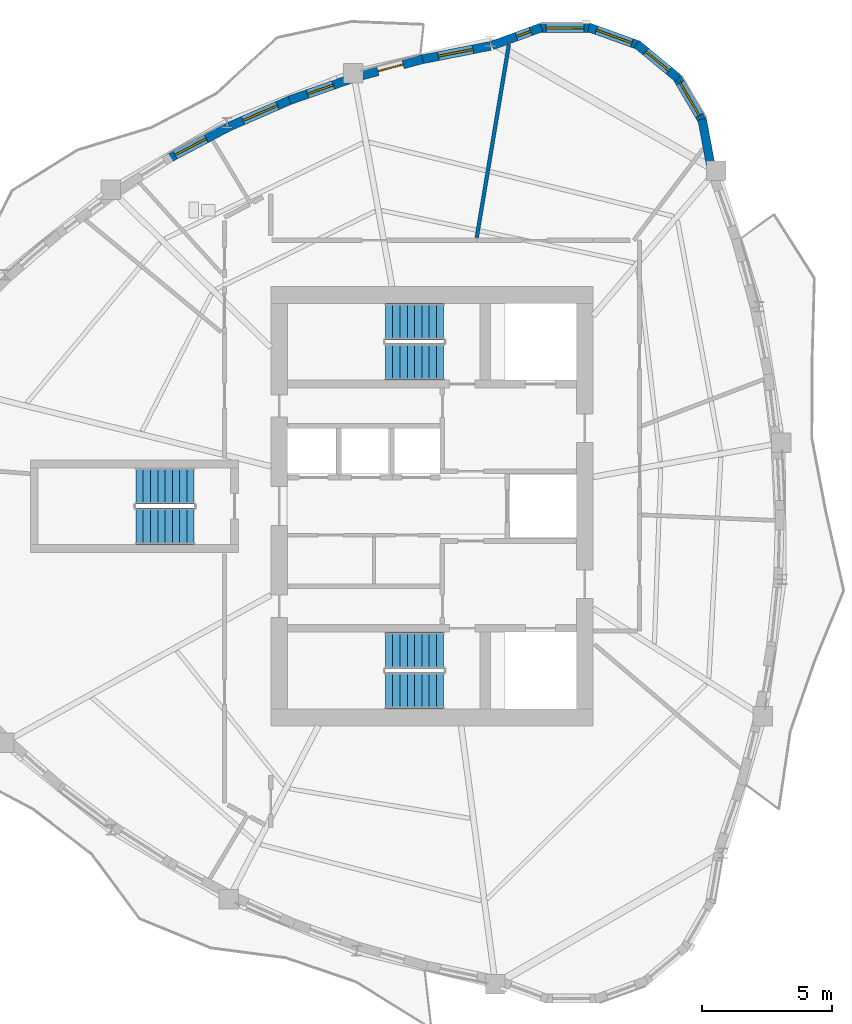
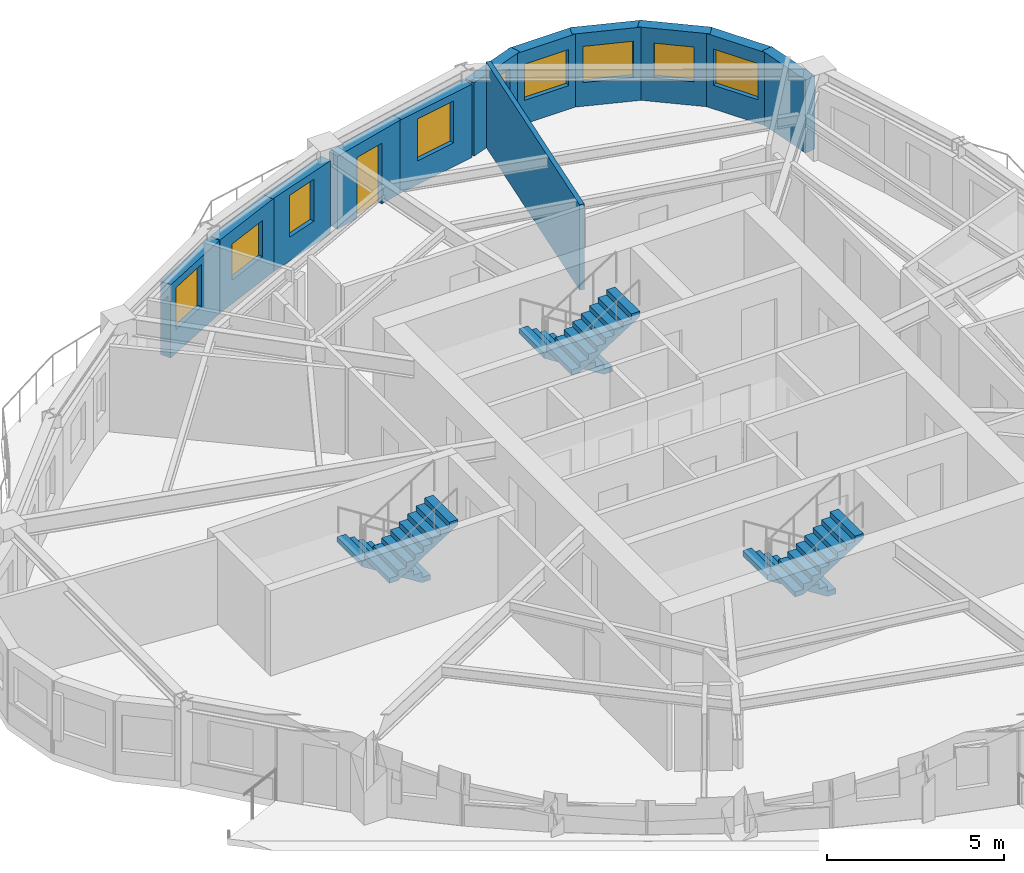
# One storey, part 7 of 11: 12 walls, 9 windows, 6 stair flights, 1 door, 10 openings, 3 elements without a shape of their own.
"""IFC4 building model written with IfcOpenShell, lengths in metres."""

from ifc_helpers import new_model, si_unit, direction, frame, frame_2d, origin, place, context, subcontext, project, spatial, polyline, rectangle, outline, extrude, source, transform, mapped, material, layer, layer_set, type_object, element, fill, aggregate, save


model = new_model("IFC4")

# Units and contexts
model_context = context("Model", 3, precision=1e-05, world=origin(), true_north=direction((0.0, 1.0)))
body_context = subcontext(model_context, "Body", "Model", "MODEL_VIEW")
ifc_project = project(units=[si_unit("LENGTHUNIT", "METRE"), si_unit("AREAUNIT", "SQUARE_METRE"), si_unit("VOLUMEUNIT", "CUBIC_METRE"), si_unit("PLANEANGLEUNIT", "RADIAN"), si_unit("MASSUNIT", "GRAM", prefix="KILO")], contexts=[model_context])

# Site, building, storey
site_placement = place(None, origin())
site = spatial("IfcSite", under=ifc_project, at=site_placement, CompositionType="ELEMENT")
building_placement = place(site_placement, origin())
building = spatial("IfcBuilding", under=site, at=building_placement, Name="Qafzar Sky-Pleat Residences", CompositionType="ELEMENT")
storey_placement = place(building_placement, frame((0.0, 0.0, 168.199951171875)))
storey = spatial("IfcBuildingStorey", under=building, at=storey_placement, Name="L50", CompositionType="ELEMENT", Elevation=168.199951171875)

# Walls
ifc_material_1 = material(Name="Acoustic gypsum plasterboard partition", Category="gypsum")
ifc_layer_1 = layer(ifc_material_1, 0.14501953125)
ifc_layer_set_1 = layer_set([ifc_layer_1], Name="Acoustic gypsum plasterboard partition")
wall_type_1 = type_object("IfcWallType", Name="PART-UNIT-145", PredefinedType="PARTITIONING", material=ifc_layer_set_1)
wall_1_placement = place(storey_placement, frame((32.070556640625, 36.329833984375, 0.0), z_axis=(0.0, 0.0, 1.0), x_axis=(0.164299199522, 0.986410549942, 0.0)))
element("IfcWall", 1, at=wall_1_placement, inside=storey, type_object=wall_type_1, Name="L50 Partition Wall PART-L50-PW-011", PredefinedType="PARTITIONING", context=body_context, shape_type="SweptSolid", body=[
    extrude(rectangle(XDim=7.538330078125, YDim=0.14501953125, at=frame_2d((3.76904296875, 0.0))), origin(), (0.0, 0.0, 1.0), 2.949951171875),
])
ifc_material_2 = material(Name="Precast concrete C40/50 with honed Riyadh limestone", Category="concrete")
ifc_layer_2 = layer(ifc_material_2, 0.340087890625)
ifc_layer_set_2 = layer_set([ifc_layer_2], Name="Precast concrete C40/50 with honed Riyadh limestone")
wall_type_2 = type_object("IfcWallType", Name="WALL-EXT-340", PredefinedType="SOLIDWALL", material=ifc_layer_set_2)
wall_2_placement = place(storey_placement, frame((41.08837890625, 39.02880859375, 0.0), z_axis=(0.0, 0.0, 1.0), x_axis=(-0.18244577317, 0.983215917209, 0.0)))
element("IfcWall", 2, at=wall_2_placement, inside=storey, type_object=wall_type_2, Name="L50 Limestone Facade Wall 33", PredefinedType="SOLIDWALL", context=body_context, shape_type="SweptSolid", body=[
    extrude(rectangle(XDim=1.88818359375, YDim=0.340087890625, at=frame_2d((0.944091796875, 0.0))), origin(), (0.0, 0.0, 1.0), 2.530029296875),
])

# Wall, opening, window
wall_3_placement = place(storey_placement, frame((40.79052734375, 40.760009765625, 0.0), z_axis=(0.0, 0.0, 1.0), x_axis=(-0.506225227923, 0.862401309493, 0.0)))
wall_3 = element("IfcWall", 3, at=wall_3_placement, inside=storey, type_object=wall_type_2, Name="L50 Limestone Facade Wall 34", PredefinedType="SOLIDWALL", context=body_context, shape_type="SweptSolid", body=[
    extrude(rectangle(XDim=2.0810546875, YDim=0.340087890625, at=frame_2d((1.04052734375, 0.0))), origin(), (0.0, 0.0, 1.0), 2.530029296875),
])
opening_1_placement = place(wall_3_placement, frame((0.3154296875, 0.0, 0.820068359375)))
opening_1 = element("IfcOpeningElement", 4, at=opening_1_placement, cuts=wall_3, Name="Opening WN-15", PredefinedType="OPENING", context=body_context, shape_type="SweptSolid", body=[
    extrude(rectangle(XDim=1.449951171875, YDim=1.25, at=frame_2d((0.72509765625, 0.625))), frame((0.0, 0.18017578125, 0.0), z_axis=(0.0, -1.0, 0.0), x_axis=(1.0, 0.0, 0.0)), (0.0, 0.0, 1.0), 0.360107421875),
])
ifc_material_3 = material(Name="Solar-control low-E glass in bronze aluminium frame", Category="glass")
window_type_1 = type_object("IfcWindowType", Name="WIN-15", PartitioningType="SINGLE_PANEL", PredefinedType="WINDOW", material=ifc_material_3)
shared_shape_1 = source(origin(), body_context, "Body", "SweptSolid", [
    extrude(rectangle(XDim=1.449951171875, YDim=1.25, at=frame_2d((0.72509765625, 0.625))), frame((0.0, 0.030029296875, 0.0), z_axis=(0.0, -1.0, 0.0), x_axis=(1.0, 0.0, 0.0)), (0.0, 0.0, 1.0), 0.06005859375),
])
window_1_placement = place(opening_1_placement, origin())
window_1 = element("IfcWindow", 5, at=window_1_placement, inside=storey, type_object=window_type_1, Name="L50 Punched Facade Window 34", OverallHeight=1.25, OverallWidth=1.449951171875, PartitioningType="SINGLE_PANEL", PredefinedType="WINDOW", context=body_context, shape_type="MappedRepresentation", body=[
    mapped(shared_shape_1, transform((0.0, 0.0, 0.0), x_axis=(1.0, 0.0, 0.0), y_axis=(0.0, 1.0, 0.0), z_axis=(0.0, 0.0, 1.0), scale=1.0)),
])
fill(opening_1, window_1)

wall_4_placement = place(storey_placement, frame((39.823486328125, 42.452880859375, 0.0), z_axis=(0.0, 0.0, 1.0), x_axis=(-0.769690471148, 0.63841724493, 0.0)))
wall_4 = element("IfcWall", 6, at=wall_4_placement, inside=storey, type_object=wall_type_2, Name="L50 Limestone Facade Wall 35", PredefinedType="SOLIDWALL", context=body_context, shape_type="SweptSolid", body=[
    extrude(rectangle(XDim=2.0810546875, YDim=0.340087890625, at=frame_2d((1.04052734375, 0.0))), origin(), (0.0, 0.0, 1.0), 2.530029296875),
])
opening_2_placement = place(wall_4_placement, frame((0.465576171875, 0.0, 0.820068359375)))
opening_2 = element("IfcOpeningElement", 7, at=opening_2_placement, cuts=wall_4, Name="Opening WN-16", PredefinedType="OPENING", context=body_context, shape_type="SweptSolid", body=[
    extrude(rectangle(XDim=1.14990234375, YDim=1.199951171875, at=frame_2d((0.574951171875, 0.60009765625))), frame((0.0, 0.18017578125, 0.0), z_axis=(0.0, -1.0, 0.0), x_axis=(1.0, 0.0, 0.0)), (0.0, 0.0, 1.0), 0.360107421875),
])
window_type_2 = type_object("IfcWindowType", Name="WIN-16", PartitioningType="SINGLE_PANEL", PredefinedType="WINDOW", material=ifc_material_3)
shared_shape_2 = source(origin(), body_context, "Body", "SweptSolid", [
    extrude(rectangle(XDim=1.14990234375, YDim=1.199951171875, at=frame_2d((0.574951171875, 0.60009765625))), frame((0.0, 0.030029296875, 0.0), z_axis=(0.0, -1.0, 0.0), x_axis=(1.0, 0.0, 0.0)), (0.0, 0.0, 1.0), 0.06005859375),
])
window_2_placement = place(opening_2_placement, origin())
window_2 = element("IfcWindow", 8, at=window_2_placement, inside=storey, type_object=window_type_2, Name="L50 Punched Facade Window 35", OverallHeight=1.199951171875, OverallWidth=1.14990234375, PartitioningType="SINGLE_PANEL", PredefinedType="WINDOW", context=body_context, shape_type="MappedRepresentation", body=[
    mapped(shared_shape_2, transform((0.0, 0.0, 0.0), x_axis=(1.0, 0.0, 0.0), y_axis=(0.0, 1.0, 0.0), z_axis=(0.0, 0.0, 1.0), scale=1.0)),
])
fill(opening_2, window_2)

wall_5_placement = place(storey_placement, frame((38.337890625, 43.71533203125, 0.0), z_axis=(0.0, 0.0, 1.0), x_axis=(-0.941071215914, 0.338208466153, 0.0)))
wall_5 = element("IfcWall", 9, at=wall_5_placement, inside=storey, type_object=wall_type_2, Name="L50 Limestone Facade Wall 36", PredefinedType="SOLIDWALL", context=body_context, shape_type="SweptSolid", body=[
    extrude(rectangle(XDim=2.0810546875, YDim=0.340087890625, at=frame_2d((1.04052734375, 0.0))), origin(), (0.0, 0.0, 1.0), 2.530029296875),
])
opening_3_placement = place(wall_5_placement, frame((0.3154296875, 0.0, 0.820068359375)))
opening_3 = element("IfcOpeningElement", 10, at=opening_3_placement, cuts=wall_5, Name="Opening WN-15", PredefinedType="OPENING", context=body_context, shape_type="SweptSolid", body=[
    extrude(rectangle(XDim=1.449951171875, YDim=1.25, at=frame_2d((0.72509765625, 0.625))), frame((0.0, 0.18017578125, 0.0), z_axis=(0.0, -1.0, 0.0), x_axis=(1.0, 0.0, 0.0)), (0.0, 0.0, 1.0), 0.360107421875),
])
window_3_placement = place(opening_3_placement, origin())
window_3 = element("IfcWindow", 11, at=window_3_placement, inside=storey, type_object=window_type_1, Name="L50 Punched Facade Window 36", OverallHeight=1.25, OverallWidth=1.449951171875, PartitioningType="SINGLE_PANEL", PredefinedType="WINDOW", context=body_context, shape_type="MappedRepresentation", body=[
    mapped(shared_shape_1, transform((0.0, 0.0, 0.0), x_axis=(1.0, 0.0, 0.0), y_axis=(0.0, 1.0, 0.0), z_axis=(0.0, 0.0, 1.0), scale=1.0)),
])
fill(opening_3, window_3)

wall_6_placement = place(storey_placement, frame((36.510986328125, 44.396484375, 0.0), z_axis=(0.0, 0.0, 1.0), x_axis=(-0.999996965272, -0.002463624621, 0.0)))
wall_6 = element("IfcWall", 12, at=wall_6_placement, inside=storey, type_object=wall_type_2, Name="L50 Limestone Facade Wall 37", PredefinedType="SOLIDWALL", context=body_context, shape_type="SweptSolid", body=[
    extrude(rectangle(XDim=2.0810546875, YDim=0.340087890625, at=frame_2d((1.04052734375, 0.0))), origin(), (0.0, 0.0, 1.0), 2.530029296875),
])
opening_4_placement = place(wall_6_placement, frame((0.315673828125, 0.0, 0.820068359375)))
opening_4 = element("IfcOpeningElement", 13, at=opening_4_placement, cuts=wall_6, Name="Opening WN-15", PredefinedType="OPENING", context=body_context, shape_type="SweptSolid", body=[
    extrude(rectangle(XDim=1.449951171875, YDim=1.25, at=frame_2d((0.72509765625, 0.625))), frame((0.0, 0.18017578125, 0.0), z_axis=(0.0, -1.0, 0.0), x_axis=(1.0, 0.0, 0.0)), (0.0, 0.0, 1.0), 0.360107421875),
])
window_4_placement = place(opening_4_placement, origin())
window_4 = element("IfcWindow", 14, at=window_4_placement, inside=storey, type_object=window_type_1, Name="L50 Punched Facade Window 37", OverallHeight=1.25, OverallWidth=1.449951171875, PartitioningType="SINGLE_PANEL", PredefinedType="WINDOW", context=body_context, shape_type="MappedRepresentation", body=[
    mapped(shared_shape_1, transform((0.0, 0.0, 0.0), x_axis=(1.0, 0.0, 0.0), y_axis=(0.0, 1.0, 0.0), z_axis=(0.0, 0.0, 1.0), scale=1.0)),
])
fill(opening_4, window_4)

wall_7_placement = place(storey_placement, frame((34.5615234375, 44.414794921875, 0.0), z_axis=(0.0, 0.0, 1.0), x_axis=(-0.939426417976, -0.342750645819, 0.0)))
wall_7 = element("IfcWall", 15, at=wall_7_placement, inside=storey, type_object=wall_type_2, Name="L50 Limestone Facade Wall 38", PredefinedType="SOLIDWALL", context=body_context, shape_type="SweptSolid", body=[
    extrude(rectangle(XDim=2.02294921875, YDim=0.340087890625, at=frame_2d((1.011474609375, 0.0))), origin(), (0.0, 0.0, 1.0), 2.530029296875),
])
opening_5_placement = place(wall_7_placement, frame((0.443603515625, 0.0, 0.820068359375)))
opening_5 = element("IfcOpeningElement", 16, at=opening_5_placement, cuts=wall_7, Name="Opening WN-17", PredefinedType="OPENING", context=body_context, shape_type="SweptSolid", body=[
    extrude(rectangle(XDim=0.580078125, YDim=1.35009765625, at=frame_2d((0.2900390625, 0.675048828125))), frame((0.0, 0.18017578125, 0.0), z_axis=(0.0, -1.0, 0.0), x_axis=(1.0, 0.0, 0.0)), (0.0, 0.0, 1.0), 0.360107421875),
])
window_type_3 = type_object("IfcWindowType", Name="WIN-17", PartitioningType="SINGLE_PANEL", PredefinedType="WINDOW", material=ifc_material_3)
shared_shape_3 = source(origin(), body_context, "Body", "SweptSolid", [
    extrude(rectangle(XDim=0.580078125, YDim=1.35009765625, at=frame_2d((0.2900390625, 0.675048828125))), frame((0.0, 0.030029296875, 0.0), z_axis=(0.0, -1.0, 0.0), x_axis=(1.0, 0.0, 0.0)), (0.0, 0.0, 1.0), 0.06005859375),
])
window_5_placement = place(opening_5_placement, origin())
window_5 = element("IfcWindow", 17, at=window_5_placement, inside=storey, type_object=window_type_3, Name="L50 Punched Facade Window 38", OverallHeight=1.35009765625, OverallWidth=0.580078125, PartitioningType="SINGLE_PANEL", PredefinedType="WINDOW", context=body_context, shape_type="MappedRepresentation", body=[
    mapped(shared_shape_3, transform((0.0, 0.0, 0.0), x_axis=(1.0, 0.0, 0.0), y_axis=(0.0, 1.0, 0.0), z_axis=(0.0, 0.0, 1.0), scale=1.0)),
])
fill(opening_5, window_5)

wall_8_placement = place(storey_placement, frame((32.59716796875, 43.70361328125, 0.0), z_axis=(0.0, 0.0, 1.0), x_axis=(-0.981214876679, -0.192918028667, 0.0)))
wall_8 = element("IfcWall", 18, at=wall_8_placement, inside=storey, type_object=wall_type_2, Name="L50 Limestone Facade Wall 39", PredefinedType="SOLIDWALL", context=body_context, shape_type="SweptSolid", body=[
    extrude(rectangle(XDim=2.74609375, YDim=0.340087890625, at=frame_2d((1.373046875, 0.0))), origin(), (0.0, 0.0, 1.0), 2.530029296875),
])
opening_6_placement = place(wall_8_placement, frame((0.68798828125, 0.0, 0.820068359375)))
opening_6 = element("IfcOpeningElement", 19, at=opening_6_placement, cuts=wall_8, Name="Opening WN-04", PredefinedType="OPENING", context=body_context, shape_type="SweptSolid", body=[
    extrude(rectangle(XDim=1.35009765625, YDim=1.449951171875, at=frame_2d((0.675048828125, 0.72509765625))), frame((0.0, 0.18017578125, 0.0), z_axis=(0.0, -1.0, 0.0), x_axis=(1.0, 0.0, 0.0)), (0.0, 0.0, 1.0), 0.360107421875),
])
window_type_4 = type_object("IfcWindowType", Name="WIN-04", PartitioningType="SINGLE_PANEL", PredefinedType="WINDOW", material=ifc_material_3)
shared_shape_4 = source(origin(), body_context, "Body", "SweptSolid", [
    extrude(rectangle(XDim=1.35009765625, YDim=1.449951171875, at=frame_2d((0.675048828125, 0.72509765625))), frame((0.0, 0.030029296875, 0.0), z_axis=(0.0, -1.0, 0.0), x_axis=(1.0, 0.0, 0.0)), (0.0, 0.0, 1.0), 0.06005859375),
])
window_6_placement = place(opening_6_placement, origin())
window_6 = element("IfcWindow", 20, at=window_6_placement, inside=storey, type_object=window_type_4, Name="L50 Punched Facade Window 39", OverallHeight=1.449951171875, OverallWidth=1.35009765625, PartitioningType="SINGLE_PANEL", PredefinedType="WINDOW", context=body_context, shape_type="MappedRepresentation", body=[
    mapped(shared_shape_4, transform((0.0, 0.0, 0.0), x_axis=(1.0, 0.0, 0.0), y_axis=(0.0, 1.0, 0.0), z_axis=(0.0, 0.0, 1.0), scale=1.0)),
])
fill(opening_6, window_6)

# Wall, opening, door
wall_9_placement = place(storey_placement, frame((29.988037109375, 43.19384765625, 0.0), z_axis=(0.0, 0.0, 1.0), x_axis=(-0.965459623591, -0.26055271101, 0.0)))
wall_9 = element("IfcWall", 21, at=wall_9_placement, inside=storey, type_object=wall_type_2, Name="L50 Limestone Facade Wall 40", PredefinedType="SOLIDWALL", context=body_context, shape_type="SweptSolid", body=[
    extrude(rectangle(XDim=2.55419921875, YDim=0.340087890625, at=frame_2d((1.277099609375, 0.0))), origin(), (0.0, 0.0, 1.0), 2.530029296875),
])
opening_7_placement = place(wall_9_placement, frame((0.777099609375, 0.0, 0.0)))
opening_7 = element("IfcOpeningElement", 22, at=opening_7_placement, cuts=wall_9, Name="Opening ED-05", PredefinedType="OPENING", context=body_context, shape_type="SweptSolid", body=[
    extrude(rectangle(XDim=1.0, YDim=2.10009765625, at=frame_2d((0.5, 1.050048828125))), frame((0.0, 0.18017578125, 0.0), z_axis=(0.0, -1.0, 0.0), x_axis=(1.0, 0.0, 0.0)), (0.0, 0.0, 1.0), 0.360107421875),
])
ifc_material_4 = material(Name="Glazed bronze aluminium door", Category="aluminium")
door_type = type_object("IfcDoorType", Name="DR-BAL-1000", OperationType="NOTDEFINED", PredefinedType="DOOR", material=ifc_material_4)
shared_shape_5 = source(origin(), body_context, "Body", "SweptSolid", [
    extrude(rectangle(XDim=1.0, YDim=2.10009765625, at=frame_2d((0.5, 1.050048828125))), frame((0.0, 0.02490234375, 0.0), z_axis=(0.0, -1.0, 0.0), x_axis=(1.0, 0.0, 0.0)), (0.0, 0.0, 1.0), 0.050048828125),
])
door_placement = place(opening_7_placement, origin())
door = element("IfcDoor", 23, at=door_placement, inside=storey, type_object=door_type, Name="L50 Glazed Balcony Door 2", OperationType="SINGLE_SWING_LEFT", OverallHeight=2.10009765625, OverallWidth=1.0, PredefinedType="DOOR", context=body_context, shape_type="MappedRepresentation", body=[
    mapped(shared_shape_5, transform((0.0, 0.0, 0.0), x_axis=(1.0, 0.0, 0.0), y_axis=(0.0, 1.0, 0.0), z_axis=(0.0, 0.0, 1.0), scale=1.0)),
])
fill(opening_7, door)

# Wall, opening, window
wall_10_placement = place(storey_placement, frame((27.23779296875, 42.4404296875, 0.0), z_axis=(0.0, 0.0, 1.0), x_axis=(-0.944135459374, -0.329557634341, 0.0)))
wall_10 = element("IfcWall", 24, at=wall_10_placement, inside=storey, type_object=wall_type_2, Name="L50 Limestone Facade Wall 41", PredefinedType="SOLIDWALL", context=body_context, shape_type="SweptSolid", body=[
    extrude(rectangle(XDim=2.510498046875, YDim=0.340087890625, at=frame_2d((1.25537109375, 0.0))), origin(), (0.0, 0.0, 1.0), 2.530029296875),
])
opening_8_placement = place(wall_10_placement, frame((0.72509765625, 0.0, 0.820068359375)))
opening_8 = element("IfcOpeningElement", 25, at=opening_8_placement, cuts=wall_10, Name="Opening WN-06", PredefinedType="OPENING", context=body_context, shape_type="SweptSolid", body=[
    extrude(rectangle(XDim=1.050048828125, YDim=1.449951171875, at=frame_2d((0.52490234375, 0.72509765625))), frame((0.0, 0.18017578125, 0.0), z_axis=(0.0, -1.0, 0.0), x_axis=(1.0, 0.0, 0.0)), (0.0, 0.0, 1.0), 0.360107421875),
])
window_type_5 = type_object("IfcWindowType", Name="WIN-06", PartitioningType="SINGLE_PANEL", PredefinedType="WINDOW", material=ifc_material_3)
shared_shape_6 = source(origin(), body_context, "Body", "SweptSolid", [
    extrude(rectangle(XDim=1.050048828125, YDim=1.449951171875, at=frame_2d((0.52490234375, 0.72509765625))), frame((0.0, 0.030029296875, 0.0), z_axis=(0.0, -1.0, 0.0), x_axis=(1.0, 0.0, 0.0)), (0.0, 0.0, 1.0), 0.06005859375),
])
window_7_placement = place(opening_8_placement, origin())
window_7 = element("IfcWindow", 26, at=window_7_placement, inside=storey, type_object=window_type_5, Name="L50 Punched Facade Window 41", OverallHeight=1.449951171875, OverallWidth=1.050048828125, PartitioningType="SINGLE_PANEL", PredefinedType="WINDOW", context=body_context, shape_type="MappedRepresentation", body=[
    mapped(shared_shape_6, transform((0.0, 0.0, 0.0), x_axis=(1.0, 0.0, 0.0), y_axis=(0.0, 1.0, 0.0), z_axis=(0.0, 0.0, 1.0), scale=1.0)),
])
fill(opening_8, window_7)

wall_11_placement = place(storey_placement, frame((24.949951171875, 41.645263671875, 0.0), z_axis=(0.0, 0.0, 1.0), x_axis=(-0.917090826553, -0.398678336322, 0.0)))
wall_11 = element("IfcWall", 27, at=wall_11_placement, inside=storey, type_object=wall_type_2, Name="L50 Limestone Facade Wall 42", PredefinedType="SOLIDWALL", context=body_context, shape_type="SweptSolid", body=[
    extrude(rectangle(XDim=2.615966796875, YDim=0.340087890625, at=frame_2d((1.30810546875, 0.0))), origin(), (0.0, 0.0, 1.0), 2.530029296875),
])
opening_9_placement = place(wall_11_placement, frame((0.593017578125, 0.0, 0.820068359375)))
opening_9 = element("IfcOpeningElement", 28, at=opening_9_placement, cuts=wall_11, Name="Opening WN-15", PredefinedType="OPENING", context=body_context, shape_type="SweptSolid", body=[
    extrude(rectangle(XDim=1.449951171875, YDim=1.25, at=frame_2d((0.72509765625, 0.625))), frame((0.0, 0.18017578125, 0.0), z_axis=(0.0, -1.0, 0.0), x_axis=(1.0, 0.0, 0.0)), (0.0, 0.0, 1.0), 0.360107421875),
])
window_8_placement = place(opening_9_placement, origin())
window_8 = element("IfcWindow", 29, at=window_8_placement, inside=storey, type_object=window_type_1, Name="L50 Punched Facade Window 42", OverallHeight=1.25, OverallWidth=1.449951171875, PartitioningType="SINGLE_PANEL", PredefinedType="WINDOW", context=body_context, shape_type="MappedRepresentation", body=[
    mapped(shared_shape_1, transform((0.0, 0.0, 0.0), x_axis=(1.0, 0.0, 0.0), y_axis=(0.0, 1.0, 0.0), z_axis=(0.0, 0.0, 1.0), scale=1.0)),
])
fill(opening_9, window_8)

wall_12_placement = place(storey_placement, frame((22.5263671875, 40.590576171875, 0.0), z_axis=(0.0, 0.0, 1.0), x_axis=(-0.884394438343, -0.46674026763, 0.0)))
wall_12 = element("IfcWall", 30, at=wall_12_placement, inside=storey, type_object=wall_type_2, Name="L50 Limestone Facade Wall 43", PredefinedType="SOLIDWALL", context=body_context, shape_type="SweptSolid", body=[
    extrude(rectangle(XDim=2.601318359375, YDim=0.340087890625, at=frame_2d((1.30078125, 0.0))), origin(), (0.0, 0.0, 1.0), 2.530029296875),
])
opening_10_placement = place(wall_12_placement, frame((0.976806640625, 0.0, 0.820068359375)))
opening_10 = element("IfcOpeningElement", 31, at=opening_10_placement, cuts=wall_12, Name="Opening WN-04", PredefinedType="OPENING", context=body_context, shape_type="SweptSolid", body=[
    extrude(rectangle(XDim=1.35009765625, YDim=1.449951171875, at=frame_2d((0.675048828125, 0.72509765625))), frame((0.0, 0.18017578125, 0.0), z_axis=(0.0, -1.0, 0.0), x_axis=(1.0, 0.0, 0.0)), (0.0, 0.0, 1.0), 0.360107421875),
])
window_9_placement = place(opening_10_placement, origin())
window_9 = element("IfcWindow", 32, at=window_9_placement, inside=storey, type_object=window_type_4, Name="L50 Punched Facade Window 43-2", OverallHeight=1.449951171875, OverallWidth=1.35009765625, PartitioningType="SINGLE_PANEL", PredefinedType="WINDOW", context=body_context, shape_type="MappedRepresentation", body=[
    mapped(shared_shape_4, transform((0.0, 0.0, 0.0), x_axis=(1.0, 0.0, 0.0), y_axis=(0.0, 1.0, 0.0), z_axis=(0.0, 0.0, 1.0), scale=1.0)),
])
fill(opening_10, window_9)

# Stair, stair flights
ifc_material_5 = material(Name="Concrete C40/50", Category="concrete")
stair_type = type_object("IfcStairType", Name="STAIR-H320", PredefinedType="HALF_TURN_STAIR", material=ifc_material_5)
stair_1_placement = place(storey_placement, origin())
stair_1 = element("IfcStair", 33, at=stair_1_placement, inside=storey, type_object=stair_type, Name="L50 Protected Exit Stair ST1", PredefinedType="HALF_TURN_STAIR")
stair_flight_type = type_object("IfcStairFlightType", Name="FLIGHT-H320", PredefinedType="STRAIGHT", material=ifc_material_5)
shared_shape_7 = source(origin(), body_context, "Body", "SweptSolid", [
    extrude(outline(polyline([(0.0, 0.0), (0.0, 0.177734375), (0.280029296875, 0.177734375), (0.280029296875, 0.35546875), (0.56005859375, 0.35546875), (0.56005859375, 0.533447265625), (0.840087890625, 0.533447265625), (0.840087890625, 0.711181640625), (1.1201171875, 0.711181640625), (1.1201171875, 0.888916015625), (1.39990234375, 0.888916015625), (1.39990234375, 1.066650390625), (1.679931640625, 1.066650390625), (1.679931640625, 1.244384765625), (1.9599609375, 1.244384765625), (1.9599609375, 1.422119140625), (2.239990234375, 1.422119140625), (2.239990234375, 1.60009765625), (2.239990234375, 1.24462890625), (0.27978515625, 0.0), (0.0, 0.0)])), frame((0.0, 0.699951171875, 0.0), z_axis=(0.0, -1.0, 0.0), x_axis=(1.0, 0.0, 0.0)), (0.0, 0.0, 1.0), 1.39990234375),
])
stair_flight_1_placement = place(storey_placement, frame((30.800048828125, 20.449951171875, 0.0), z_axis=(0.0, 0.0, 1.0), x_axis=(-1.0, 0.0, 0.0)))
stair_flight_1 = element("IfcStairFlight", 34, at=stair_flight_1_placement, type_object=stair_flight_type, Name="ST1 flight 1", NumberOfRisers=9, NumberOfTreads=8, PredefinedType="STRAIGHT", RiserHeight=0.177777778, TreadLength=0.28, context=body_context, shape_type="MappedRepresentation", body=[
    mapped(shared_shape_7, transform((0.0, 0.0, 0.0), x_axis=(1.0, 0.0, 0.0), y_axis=(0.0, 1.0, 0.0), z_axis=(0.0, 0.0, 1.0), scale=1.0)),
])
stair_flight_2_placement = place(storey_placement, frame((28.56005859375, 18.89990234375, 1.60009765625), z_axis=(0.0, 0.0, 1.0), x_axis=(1.0, 0.0, 0.0)))
stair_flight_2 = element("IfcStairFlight", 35, at=stair_flight_2_placement, type_object=stair_flight_type, Name="ST1 flight 2", NumberOfRisers=9, NumberOfTreads=8, PredefinedType="STRAIGHT", RiserHeight=0.177777778, TreadLength=0.28, context=body_context, shape_type="MappedRepresentation", body=[
    mapped(shared_shape_7, transform((0.0, 0.0, 0.0), x_axis=(1.0, 0.0, 0.0), y_axis=(0.0, 1.0, 0.0), z_axis=(0.0, 0.0, 1.0), scale=1.0)),
])
aggregate(stair_1, [stair_flight_1, stair_flight_2])

stair_2_placement = place(storey_placement, origin())
stair_2 = element("IfcStair", 36, at=stair_2_placement, inside=storey, type_object=stair_type, Name="L50 Protected Exit Stair ST2", PredefinedType="HALF_TURN_STAIR")
stair_flight_3_placement = place(storey_placement, frame((30.800048828125, 33.10009765625, 0.0), z_axis=(0.0, 0.0, 1.0), x_axis=(-1.0, 0.0, 0.0)))
stair_flight_3 = element("IfcStairFlight", 37, at=stair_flight_3_placement, type_object=stair_flight_type, Name="ST2 flight 1", NumberOfRisers=9, NumberOfTreads=8, PredefinedType="STRAIGHT", RiserHeight=0.177777778, TreadLength=0.28, context=body_context, shape_type="MappedRepresentation", body=[
    mapped(shared_shape_7, transform((0.0, 0.0, 0.0), x_axis=(1.0, 0.0, 0.0), y_axis=(0.0, 1.0, 0.0), z_axis=(0.0, 0.0, 1.0), scale=1.0)),
])
stair_flight_4_placement = place(storey_placement, frame((28.56005859375, 31.550048828125, 1.60009765625), z_axis=(0.0, 0.0, 1.0), x_axis=(1.0, 0.0, 0.0)))
stair_flight_4 = element("IfcStairFlight", 38, at=stair_flight_4_placement, type_object=stair_flight_type, Name="ST2 flight 2", NumberOfRisers=9, NumberOfTreads=8, PredefinedType="STRAIGHT", RiserHeight=0.177777778, TreadLength=0.28, context=body_context, shape_type="MappedRepresentation", body=[
    mapped(shared_shape_7, transform((0.0, 0.0, 0.0), x_axis=(1.0, 0.0, 0.0), y_axis=(0.0, 1.0, 0.0), z_axis=(0.0, 0.0, 1.0), scale=1.0)),
])
aggregate(stair_2, [stair_flight_3, stair_flight_4])

stair_3_placement = place(storey_placement, origin())
stair_3 = element("IfcStair", 39, at=stair_3_placement, inside=storey, type_object=stair_type, Name="L50 Protected Exit Stair ST3", PredefinedType="HALF_TURN_STAIR")
stair_flight_5_placement = place(storey_placement, frame((21.199951171875, 26.77490234375, 0.0), z_axis=(0.0, 0.0, 1.0), x_axis=(-1.0, 0.0, 0.0)))
stair_flight_5 = element("IfcStairFlight", 40, at=stair_flight_5_placement, type_object=stair_flight_type, Name="ST3 flight 1", NumberOfRisers=9, NumberOfTreads=8, PredefinedType="STRAIGHT", RiserHeight=0.177777778, TreadLength=0.28, context=body_context, shape_type="MappedRepresentation", body=[
    mapped(shared_shape_7, transform((0.0, 0.0, 0.0), x_axis=(1.0, 0.0, 0.0), y_axis=(0.0, 1.0, 0.0), z_axis=(0.0, 0.0, 1.0), scale=1.0)),
])
stair_flight_6_placement = place(storey_placement, frame((18.9599609375, 25.22509765625, 1.60009765625), z_axis=(0.0, 0.0, 1.0), x_axis=(1.0, 0.0, 0.0)))
stair_flight_6 = element("IfcStairFlight", 41, at=stair_flight_6_placement, type_object=stair_flight_type, Name="ST3 flight 2", NumberOfRisers=9, NumberOfTreads=8, PredefinedType="STRAIGHT", RiserHeight=0.177777778, TreadLength=0.28, context=body_context, shape_type="MappedRepresentation", body=[
    mapped(shared_shape_7, transform((0.0, 0.0, 0.0), x_axis=(1.0, 0.0, 0.0), y_axis=(0.0, 1.0, 0.0), z_axis=(0.0, 0.0, 1.0), scale=1.0)),
])
aggregate(stair_3, [stair_flight_5, stair_flight_6])

save(model, "model.ifc")
